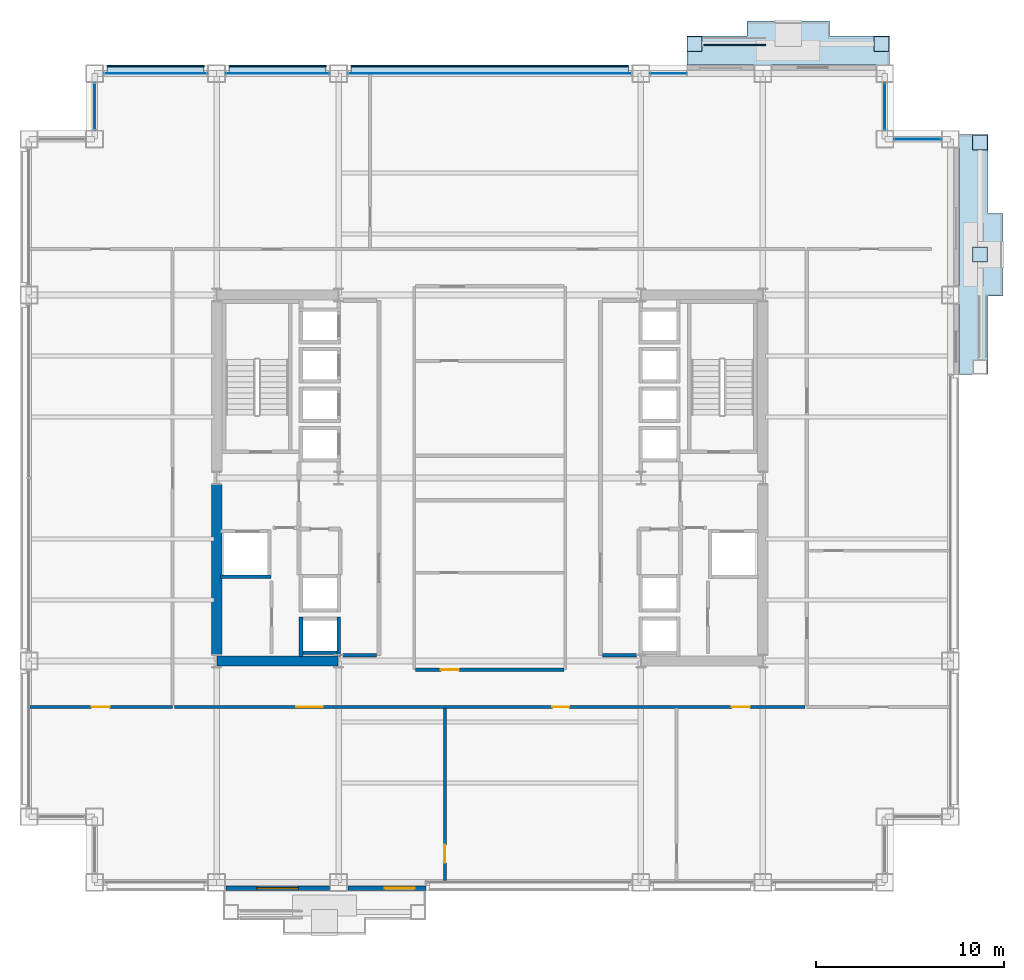
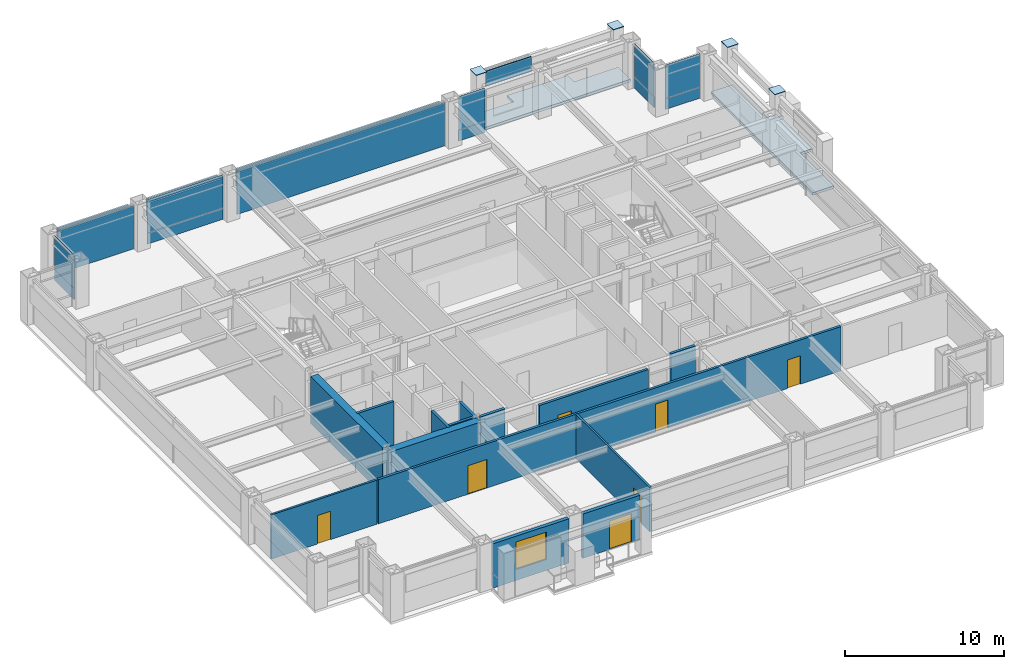
# One storey, part 25 of 31: 23 plates, 14 walls, 7 doors, 2 slabs, 1 window, 8 openings, 7 elements without a shape of their own.
"""IFC4 building model written with IfcOpenShell, lengths in metres."""

from ifc_helpers import new_model, si_unit, direction, frame, frame_2d, origin, origin_2d, place, context, subcontext, project, spatial, polyline, rectangle, outline, extrude, material, layer, layer_set, type_object, element, fill, aggregate, save


model = new_model("IFC4")

# Units and contexts
model_context = context("Model", 3, precision=1e-05, world=origin(), true_north=direction((0.0, 1.0)))
body_context = subcontext(model_context, "Body", "Model", "MODEL_VIEW")
ifc_project = project(units=[si_unit("LENGTHUNIT", "METRE"), si_unit("AREAUNIT", "SQUARE_METRE"), si_unit("VOLUMEUNIT", "CUBIC_METRE"), si_unit("PLANEANGLEUNIT", "RADIAN"), si_unit("MASSUNIT", "GRAM", prefix="KILO")], contexts=[model_context])

# Site, building, storey
site_placement = place(None, origin())
site = spatial("IfcSite", under=ifc_project, at=site_placement, CompositionType="ELEMENT")
building_placement = place(site_placement, origin())
building = spatial("IfcBuilding", under=site, at=building_placement, Name="Brelmoor Portico Tower", CompositionType="ELEMENT")
storey_placement = place(building_placement, frame((0.0, 0.0, 27.60009765625)))
storey = spatial("IfcBuildingStorey", under=building, at=storey_placement, Name="L06", CompositionType="ELEMENT", Elevation=27.60009765625)

# Plates
ifc_material_1 = material(Name="Steel Q355B", Category="steel")
ifc_layer_1 = layer(ifc_material_1, 0.044921875)
ifc_layer_set_1 = layer_set([ifc_layer_1], Name="Steel Q355B")
plate_type_1 = type_object("IfcPlateType", Name="PT-CAP-650", PredefinedType="SHEET", material=ifc_layer_set_1)
for number, where, z_axis, x_axis, name in (
    (1, (10.919921875, 23.1298828125, 3.599853515625), (0.0, 0.0, 1.0), (1.0, 0.0, 0.0), "L06 Proud Picture-Frame Pier PFJ-N1 Welded Head Cap Plate"),
    (2, (20.8798828125, 23.1298828125, 3.599853515625), (0.0, 0.0, 1.0), (1.0, 0.0, 0.0), "L06 Proud Picture-Frame Pier PFJ-N2 Welded Head Cap Plate"),
    (3, (26.1298828125, 17.8798828125, 3.599853515625), (0.0, 0.0, 1.0), (0.0, 1.0, 0.0), "L06 Proud Picture-Frame Pier PFJ-E2 Welded Head Cap Plate"),
    (4, (26.1298828125, 11.89990234375, 3.599853515625), (0.0, 0.0, 1.0), (0.0, 1.0, 0.0), "L06 Proud Picture-Frame Pier PFJ-E3 Welded Head Cap Plate"),
):
    element("IfcPlate", number, at=place(storey_placement, frame(where, z_axis=z_axis, x_axis=x_axis)), inside=storey, type_object=plate_type_1, Name=name, PredefinedType="SHEET", context=body_context, shape_type="SweptSolid", body=[
        extrude(rectangle(XDim=0.7900390625, YDim=0.7900390625, at=origin_2d()), origin(), (0.0, 0.0, 1.0), 0.0400390625),
    ])

# Curtain wall, plate
ifc_material_2 = material(Name="Anodised Aluminium Alloy 6063-T6", Category="aluminium")
ifc_layer_2 = layer(ifc_material_2, 0.179931640625)
ifc_layer_set_2 = layer_set([ifc_layer_2], Name="Anodised Aluminium Alloy 6063-T6")
curtain_wall_type_1 = type_object("IfcCurtainWallType", Name="CW-TOWER-Z1", PredefinedType="NOTDEFINED", material=ifc_layer_set_2)
curtain_wall_1_placement = place(storey_placement, origin())
curtain_wall_1 = element("IfcCurtainWall", 5, at=curtain_wall_1_placement, inside=storey, type_object=curtain_wall_type_1, Name="L06 Curtain Wall CW-L06-2L-2", PredefinedType="NOTDEFINED")
ifc_material_3 = material(Name="Double-Silver Low-E Insulated Glazing", Category="glass")
ifc_layer_3 = layer(ifc_material_3, 0.035888671875)
ifc_layer_set_3 = layer_set([ifc_layer_3], Name="Double-Silver Low-E Insulated Glazing")
plate_type_2 = type_object("IfcPlateType", Name="PT-CW-GLASS", PredefinedType="CURTAIN_PANEL", material=ifc_layer_set_3)
plate_1_placement = place(storey_placement, frame((-11.300048828125, 21.550048828125, 0.85009765625), z_axis=(0.0, 0.0, 1.0), x_axis=(1.0, 0.0, 0.0)))
plate_1 = element("IfcPlate", 6, at=plate_1_placement, type_object=plate_type_2, Name="CW-L06-2L-2 Vision Glass Panel 00", PredefinedType="CURTAIN_PANEL", context=body_context, shape_type="SweptSolid", body=[
    extrude(rectangle(XDim=5.5, YDim=0.035888671875, at=origin_2d()), origin(), (0.0, 0.0, 1.0), 2.550048828125),
])

curtain_wall_2_placement = place(storey_placement, origin())
curtain_wall_2 = element("IfcCurtainWall", 7, at=curtain_wall_2_placement, inside=storey, type_object=curtain_wall_type_1, Name="L06 Curtain Wall CW-L06-2L-4", PredefinedType="NOTDEFINED")
plate_2_placement = place(storey_placement, frame((9.517578125, 21.550048828125, 0.85009765625), z_axis=(0.0, 0.0, 1.0), x_axis=(1.0, 0.0, 0.0)))
plate_2 = element("IfcPlate", 8, at=plate_2_placement, type_object=plate_type_2, Name="CW-L06-2L-4 Vision Glass Panel 00", PredefinedType="CURTAIN_PANEL", context=body_context, shape_type="SweptSolid", body=[
    extrude(rectangle(XDim=1.93505859375, YDim=0.035888671875, at=origin_2d()), origin(), (0.0, 0.0, 1.0), 2.550048828125),
])

ifc_layer_4 = layer(ifc_material_2, 0.179931640625)
ifc_layer_set_4 = layer_set([ifc_layer_4], Name="Anodised Aluminium Alloy 6063-T6")
curtain_wall_type_2 = type_object("IfcCurtainWallType", Name="CW-NOTCH-CHAMFER", PredefinedType="NOTDEFINED", material=ifc_layer_set_4)
curtain_wall_3_placement = place(storey_placement, origin())
curtain_wall_3 = element("IfcCurtainWall", 9, at=curtain_wall_3_placement, inside=storey, type_object=curtain_wall_type_2, Name="L06 Curtain Wall CWN-L06-NWV", PredefinedType="NOTDEFINED")
plate_3_placement = place(storey_placement, frame((-21.050048828125, 19.800048828125, 0.85009765625), z_axis=(0.0, 0.0, 1.0), x_axis=(0.0, 1.0, 0.0)))
plate_3 = element("IfcPlate", 10, at=plate_3_placement, type_object=plate_type_2, Name="CWN-L06-NWV Vision Glass Panel 00", PredefinedType="CURTAIN_PANEL", context=body_context, shape_type="SweptSolid", body=[
    extrude(rectangle(XDim=2.5, YDim=0.035888671875, at=origin_2d()), origin(), (0.0, 0.0, 1.0), 2.550048828125),
])

curtain_wall_4_placement = place(storey_placement, origin())
curtain_wall_4 = element("IfcCurtainWall", 11, at=curtain_wall_4_placement, inside=storey, type_object=curtain_wall_type_2, Name="L06 Curtain Wall CWN-L06-NEH", PredefinedType="NOTDEFINED")
plate_4_placement = place(storey_placement, frame((22.800048828125, 18.050048828125, 0.85009765625), z_axis=(0.0, 0.0, 1.0), x_axis=(1.0, 0.0, 0.0)))
plate_4 = element("IfcPlate", 12, at=plate_4_placement, type_object=plate_type_2, Name="CWN-L06-NEH Vision Glass Panel 00", PredefinedType="CURTAIN_PANEL", context=body_context, shape_type="SweptSolid", body=[
    extrude(rectangle(XDim=2.5, YDim=0.035888671875, at=origin_2d()), origin(), (0.0, 0.0, 1.0), 2.550048828125),
])

curtain_wall_5_placement = place(storey_placement, origin())
curtain_wall_5 = element("IfcCurtainWall", 13, at=curtain_wall_5_placement, inside=storey, type_object=curtain_wall_type_2, Name="L06 Curtain Wall CWN-L06-NEV", PredefinedType="NOTDEFINED")
plate_5_placement = place(storey_placement, frame((21.050048828125, 19.800048828125, 0.85009765625), z_axis=(0.0, 0.0, 1.0), x_axis=(0.0, 1.0, 0.0)))
plate_5 = element("IfcPlate", 14, at=plate_5_placement, type_object=plate_type_2, Name="CWN-L06-NEV Vision Glass Panel 00", PredefinedType="CURTAIN_PANEL", context=body_context, shape_type="SweptSolid", body=[
    extrude(rectangle(XDim=2.5, YDim=0.035888671875, at=origin_2d()), origin(), (0.0, 0.0, 1.0), 2.550048828125),
])

ifc_layer_5 = layer(ifc_material_2, 0.179931640625)
ifc_layer_set_5 = layer_set([ifc_layer_5], Name="Anodised Aluminium Alloy 6063-T6")
curtain_wall_type_3 = type_object("IfcCurtainWallType", Name="CW-TOWER-Z1-XB", PredefinedType="NOTDEFINED", material=ifc_layer_set_5)
curtain_wall_6_placement = place(storey_placement, origin())
curtain_wall_6 = element("IfcCurtainWall", 15, at=curtain_wall_6_placement, inside=storey, type_object=curtain_wall_type_3, Name="L06 Curtain Wall CW-L06-2L-1", PredefinedType="NOTDEFINED")
ifc_material_4 = material(Name="Pale Champagne Anodised Aluminium Panel", Category="aluminium")
ifc_layer_6 = layer(ifc_material_4, 0.050048828125)
ifc_layer_set_6 = layer_set([ifc_layer_6], Name="Pale Champagne Anodised Aluminium Panel")
plate_type_3 = type_object("IfcPlateType", Name="PT-CW-SPANDREL", PredefinedType="SHEET", material=ifc_layer_set_6)
plate_6_placement = place(storey_placement, frame((-17.800048828125, 21.550048828125, -0.000244140625), z_axis=(0.0, 0.0, 1.0), x_axis=(1.0, 0.0, 0.0)))
plate_6 = element("IfcPlate", 16, at=plate_6_placement, type_object=plate_type_3, Name="CW-L06-2L-1 Spandrel Panel 00", PredefinedType="SHEET", context=body_context, shape_type="SweptSolid", body=[
    extrude(rectangle(XDim=5.5, YDim=0.050048828125, at=origin_2d()), origin(), (0.0, 0.0, 1.0), 3.330078125),
])
aggregate(curtain_wall_6, [plate_6])

# Plate
plate_7_placement = place(storey_placement, frame((-11.300048828125, 21.550048828125, -0.000244140625), z_axis=(0.0, 0.0, 1.0), x_axis=(1.0, 0.0, 0.0)))
plate_7 = element("IfcPlate", 17, at=plate_7_placement, type_object=plate_type_3, Name="CW-L06-2L-2 Spandrel Panel 00", PredefinedType="SHEET", context=body_context, shape_type="SweptSolid", body=[
    extrude(rectangle(XDim=5.5, YDim=0.050048828125, at=origin_2d()), origin(), (0.0, 0.0, 1.0), 0.85009765625),
])

aggregate(curtain_wall_1, [plate_7, plate_1])

# Curtain wall, plate
curtain_wall_7_placement = place(storey_placement, origin())
curtain_wall_7 = element("IfcCurtainWall", 18, at=curtain_wall_7_placement, inside=storey, type_object=curtain_wall_type_3, Name="L06 Curtain Wall CW-L06-2L-3", PredefinedType="NOTDEFINED")
plate_8_placement = place(storey_placement, frame((0.0, 21.550048828125, -0.000244140625), z_axis=(0.0, 0.0, 1.0), x_axis=(1.0, 0.0, 0.0)))
plate_8 = element("IfcPlate", 19, at=plate_8_placement, type_object=plate_type_3, Name="CW-L06-2L-3 Spandrel Panel 00", PredefinedType="SHEET", context=body_context, shape_type="SweptSolid", body=[
    extrude(rectangle(XDim=15.10009765625, YDim=0.050048828125, at=origin_2d()), origin(), (0.0, 0.0, 1.0), 3.330078125),
])
aggregate(curtain_wall_7, [plate_8])

# Plate
plate_9_placement = place(storey_placement, frame((9.517578125, 21.550048828125, -0.000244140625), z_axis=(0.0, 0.0, 1.0), x_axis=(1.0, 0.0, 0.0)))
plate_9 = element("IfcPlate", 20, at=plate_9_placement, type_object=plate_type_3, Name="CW-L06-2L-4 Spandrel Panel 00", PredefinedType="SHEET", context=body_context, shape_type="SweptSolid", body=[
    extrude(rectangle(XDim=1.93505859375, YDim=0.050048828125, at=origin_2d()), origin(), (0.0, 0.0, 1.0), 0.85009765625),
])

aggregate(curtain_wall_2, [plate_9, plate_2])

plate_10_placement = place(storey_placement, frame((-21.050048828125, 19.800048828125, -0.000244140625), z_axis=(0.0, 0.0, 1.0), x_axis=(0.0, 1.0, 0.0)))
plate_10 = element("IfcPlate", 21, at=plate_10_placement, type_object=plate_type_3, Name="CWN-L06-NWV Spandrel Panel 00", PredefinedType="SHEET", context=body_context, shape_type="SweptSolid", body=[
    extrude(rectangle(XDim=2.5, YDim=0.050048828125, at=origin_2d()), origin(), (0.0, 0.0, 1.0), 0.85009765625),
])

aggregate(curtain_wall_3, [plate_10, plate_3])

plate_11_placement = place(storey_placement, frame((22.800048828125, 18.050048828125, -0.000244140625), z_axis=(0.0, 0.0, 1.0), x_axis=(1.0, 0.0, 0.0)))
plate_11 = element("IfcPlate", 22, at=plate_11_placement, type_object=plate_type_3, Name="CWN-L06-NEH Spandrel Panel 00", PredefinedType="SHEET", context=body_context, shape_type="SweptSolid", body=[
    extrude(rectangle(XDim=2.5, YDim=0.050048828125, at=origin_2d()), origin(), (0.0, 0.0, 1.0), 0.85009765625),
])

aggregate(curtain_wall_4, [plate_11, plate_4])

plate_12_placement = place(storey_placement, frame((21.050048828125, 19.800048828125, -0.000244140625), z_axis=(0.0, 0.0, 1.0), x_axis=(0.0, 1.0, 0.0)))
plate_12 = element("IfcPlate", 23, at=plate_12_placement, type_object=plate_type_3, Name="CWN-L06-NEV Spandrel Panel 00", PredefinedType="SHEET", context=body_context, shape_type="SweptSolid", body=[
    extrude(rectangle(XDim=2.5, YDim=0.050048828125, at=origin_2d()), origin(), (0.0, 0.0, 1.0), 0.85009765625),
])

aggregate(curtain_wall_5, [plate_12, plate_5])

# Plates
ifc_material_5 = material(Name="Powder-Coated Aluminium Shuttered Jalousie Louvre", Category="aluminium")
ifc_layer_7 = layer(ifc_material_5, 0.06005859375)
ifc_layer_set_7 = layer_set([ifc_layer_7], Name="Powder-Coated Aluminium Shuttered Jalousie Louvre")
plate_type_4 = type_object("IfcPlateType", Name="PT-JALOUSIE-SHUTTER", PredefinedType="SHEET", material=ifc_layer_set_7)
for number, where, z_axis, x_axis, name in (
    (24, (-17.800048828125, 21.929931640625, 1.8740234375), (0.0, 0.0, 1.0), (1.0, 0.0, 0.0), "CW-L06-2L-1 Perforated Jalousie Solar Screen"),
    (25, (-11.300048828125, 21.929931640625, 1.8740234375), (0.0, 0.0, 1.0), (1.0, 0.0, 0.0), "CW-L06-2L-2 Perforated Jalousie Solar Screen"),
):
    element("IfcPlate", number, at=place(storey_placement, frame(where, z_axis=z_axis, x_axis=x_axis)), inside=storey, type_object=plate_type_4, Name=name, PredefinedType="SHEET", context=body_context, shape_type="SweptSolid", body=[
        extrude(rectangle(XDim=5.169921875, YDim=0.06494140625, at=origin_2d()), origin(), (0.0, 0.0, 1.0), 1.325927734375),
    ])
plate_13_placement = place(storey_placement, frame((0.0, 21.929931640625, 1.8740234375), z_axis=(0.0, 0.0, 1.0), x_axis=(1.0, 0.0, 0.0)))
element("IfcPlate", 26, at=plate_13_placement, inside=storey, type_object=plate_type_4, Name="CW-L06-2L-3 Perforated Jalousie Solar Screen", PredefinedType="SHEET", context=body_context, shape_type="SweptSolid", body=[
    extrude(rectangle(XDim=14.77001953125, YDim=0.06494140625, at=origin_2d()), origin(), (0.0, 0.0, 1.0), 1.325927734375),
])
plate_14_placement = place(storey_placement, frame((13.050048828125, 23.080078125, 2.27490234375), z_axis=(0.0, 0.0, 1.0), x_axis=(1.0, 0.0, 0.0)))
element("IfcPlate", 27, at=plate_14_placement, inside=storey, type_object=plate_type_4, Name="L06 Shuttered Veranda Screen N", PredefinedType="SHEET", context=body_context, shape_type="SweptSolid", body=[
    extrude(rectangle(XDim=3.300048828125, YDim=0.080078125, at=origin_2d()), origin(), (0.0, 0.0, 1.0), 1.14990234375),
])
ifc_material_6 = material(Name="Pale Champagne Perforated Aluminium Solar Screen", Category="aluminium")
ifc_layer_8 = layer(ifc_material_6, 0.054931640625)
ifc_layer_set_8 = layer_set([ifc_layer_8], Name="Pale Champagne Perforated Aluminium Solar Screen")
plate_type_5 = type_object("IfcPlateType", Name="PT-SOLAR-LOUVRE", PredefinedType="SHEET", material=ifc_layer_set_8)
for number, where, z_axis, x_axis, name in (
    (28, (-17.800048828125, 21.760009765625, 3.08984375), (0.0, 0.0, 1.0), (1.0, 0.0, 0.0), "CW-L06-2L-1 Caribbean Brise-Soleil Solar Screen"),
    (29, (-11.300048828125, 21.760009765625, 3.08984375), (0.0, 0.0, 1.0), (1.0, 0.0, 0.0), "CW-L06-2L-2 Caribbean Brise-Soleil Solar Screen"),
):
    element("IfcPlate", number, at=place(storey_placement, frame(where, z_axis=z_axis, x_axis=x_axis)), inside=storey, type_object=plate_type_5, Name=name, PredefinedType="SHEET", context=body_context, shape_type="SweptSolid", body=[
        extrude(rectangle(XDim=5.169921875, YDim=0.4599609375, at=origin_2d()), origin(), (0.0, 0.0, 1.0), 0.139892578125),
    ])
plate_15_placement = place(storey_placement, frame((0.0, 21.760009765625, 3.08984375), z_axis=(0.0, 0.0, 1.0), x_axis=(1.0, 0.0, 0.0)))
element("IfcPlate", 30, at=plate_15_placement, inside=storey, type_object=plate_type_5, Name="CW-L06-2L-3 Caribbean Brise-Soleil Solar Screen", PredefinedType="SHEET", context=body_context, shape_type="SweptSolid", body=[
    extrude(rectangle(XDim=14.77001953125, YDim=0.4599609375, at=origin_2d()), origin(), (0.0, 0.0, 1.0), 0.139892578125),
])

# Slabs
ifc_material_7 = material(Name="Concrete C40", Category="concrete")
ifc_layer_9 = layer(ifc_material_7, 0.199951171875)
ifc_layer_set_9 = layer_set([ifc_layer_9], Name="Concrete C40")
slab_type = type_object("IfcSlabType", Name="SL-BALCONY-200", PredefinedType="FLOOR", material=ifc_layer_set_9)
slab_1_placement = place(storey_placement, frame((0.0, 0.0, -0.2001953125)))
element("IfcSlab", 31, at=slab_1_placement, inside=storey, type_object=slab_type, Name="L06 Loggia Tree Balcony Slab N", PredefinedType="FLOOR", context=body_context, shape_type="SweptSolid", body=[
    extrude(outline(polyline([(10.5, 22.0), (21.300048828125, 22.0), (21.300048828125, 23.550048828125), (18.10009765625, 23.550048828125), (18.10009765625, 24.35009765625), (13.699951171875, 24.35009765625), (13.699951171875, 23.550048828125), (10.5, 23.550048828125), (10.5, 22.0)])), origin(), (0.0, 0.0, 1.0), 0.2001953125),
])
slab_2_placement = place(storey_placement, frame((0.0, 0.0, -0.2001953125)))
element("IfcSlab", 32, at=slab_2_placement, inside=storey, type_object=slab_type, Name="L06 Loggia Tree Balcony Slab E", PredefinedType="FLOOR", context=body_context, shape_type="SweptSolid", body=[
    extrude(outline(polyline([(25.0, 5.5), (26.550048828125, 5.5), (26.550048828125, 9.699951171875), (27.35009765625, 9.699951171875), (27.35009765625, 14.10009765625), (26.550048828125, 14.10009765625), (26.550048828125, 18.300048828125), (25.0, 18.300048828125), (25.0, 5.5)])), origin(), (0.0, 0.0, 1.0), 0.2001953125),
])

# Walls
ifc_material_8 = material(Name="Concrete C60", Category="concrete")
ifc_layer_10 = layer(ifc_material_8, 0.550048828125)
ifc_layer_set_10 = layer_set([ifc_layer_10], Name="Concrete C60")
wall_type_1 = type_object("IfcWallType", Name="WL-CORE-550", PredefinedType="SHEAR", material=ifc_layer_set_10)
wall_1_placement = place(storey_placement, frame((-14.530029296875, -9.75, -0.2001953125), z_axis=(0.0, 0.0, 1.0), x_axis=(1.0, 0.0, 0.0)))
element("IfcWall", 33, at=wall_1_placement, inside=storey, type_object=wall_type_1, Name="L06 WC South Shear Wall", PredefinedType="SHEAR", context=body_context, shape_type="SweptSolid", body=[
    extrude(rectangle(XDim=6.4599609375, YDim=0.550048828125, at=frame_2d((3.22998046875, 0.0))), origin(), (0.0, 0.0, 1.0), 3.60009765625),
])
wall_2_placement = place(storey_placement, frame((-14.550048828125, -9.39990234375, -0.2001953125), z_axis=(0.0, 0.0, 1.0), x_axis=(0.0, 1.0, 0.0)))
element("IfcWall", 34, at=wall_2_placement, inside=storey, type_object=wall_type_1, Name="L06 WC Outer South Shear Wall", PredefinedType="SHEAR", context=body_context, shape_type="SweptSolid", body=[
    extrude(rectangle(XDim=9.0498046875, YDim=0.550048828125, at=frame_2d((4.52490234375, 0.0))), origin(), (0.0, 0.0, 1.0), 3.60009765625),
])

# Wall, opening, window
ifc_material_9 = material(Name="Precast Concrete C40 Insulated Facade Wall", Category="concrete")
ifc_layer_11 = layer(ifc_material_9, 0.25)
ifc_layer_set_11 = layer_set([ifc_layer_11], Name="Precast Concrete C40 Insulated Facade Wall")
wall_type_2 = type_object("IfcWallType", Name="WL-EXT-250", PredefinedType="STANDARD", material=ifc_layer_set_11)
wall_3_placement = place(storey_placement, frame((-14.054931640625, -21.860107421875, 0.0), z_axis=(0.0, 0.0, 1.0), x_axis=(1.0, 0.0, 0.0)))
wall_3 = element("IfcWall", 35, at=wall_3_placement, inside=storey, type_object=wall_type_2, Name="L06 Loggia Threshold Wall S-1", PredefinedType="STANDARD", context=body_context, shape_type="SweptSolid", body=[
    extrude(rectangle(XDim=5.510009765625, YDim=0.25, at=frame_2d((2.7548828125, 0.0))), origin(), (0.0, 0.0, 1.0), 3.39990234375),
])
opening_1_placement = place(wall_3_placement, frame((1.655029296875, 0.0, 0.85009765625)))
opening_1 = element("IfcOpeningElement", 36, at=opening_1_placement, cuts=wall_3, Name="Opening W-03B", PredefinedType="OPENING", context=body_context, shape_type="SweptSolid", body=[
    extrude(rectangle(XDim=2.199951171875, YDim=2.10009765625, at=frame_2d((1.10009765625, 1.050048828125))), frame((0.0, 0.135009765625, 0.0), z_axis=(0.0, -1.0, 0.0), x_axis=(1.0, 0.0, 0.0)), (0.0, 0.0, 1.0), 0.27001953125),
])
ifc_material_10 = material(Name="Thermally Broken Aluminium Low-E Window", Category="aluminium")
window_type = type_object("IfcWindowType", Name="WN-LOGGIA-2200x2100", PartitioningType="SINGLE_PANEL", PredefinedType="WINDOW", material=ifc_material_10)
window_placement = place(opening_1_placement, origin())
window = element("IfcWindow", 37, at=window_placement, inside=storey, type_object=window_type, Name="L06 Loggia Window S", OverallHeight=2.10009765625, OverallWidth=2.199951171875, PartitioningType="SINGLE_PANEL", PredefinedType="WINDOW", context=body_context, shape_type="SweptSolid", body=[
    extrude(rectangle(XDim=2.199951171875, YDim=2.10009765625, at=frame_2d((1.10009765625, 1.050048828125))), frame((0.0, 0.030029296875, 0.0), z_axis=(0.0, -1.0, 0.0), x_axis=(1.0, 0.0, 0.0)), (0.0, 0.0, 1.0), 0.06005859375),
])
fill(opening_1, window)

# Wall, opening, door
wall_4_placement = place(storey_placement, frame((-7.554931640625, -21.860107421875, 0.0), z_axis=(0.0, 0.0, 1.0), x_axis=(1.0, 0.0, 0.0)))
wall_4 = element("IfcWall", 38, at=wall_4_placement, inside=storey, type_object=wall_type_2, Name="L06 Loggia Threshold Wall S-2", PredefinedType="STANDARD", context=body_context, shape_type="SweptSolid", body=[
    extrude(rectangle(XDim=4.155029296875, YDim=0.25, at=frame_2d((2.07763671875, 0.0))), origin(), (0.0, 0.0, 1.0), 3.39990234375),
])
opening_2_placement = place(wall_4_placement, frame((1.955078125, 0.0, 0.0)))
opening_2 = element("IfcOpeningElement", 39, at=opening_2_placement, cuts=wall_4, Name="Opening D-TB1", PredefinedType="OPENING", context=body_context, shape_type="SweptSolid", body=[
    extrude(rectangle(XDim=1.60009765625, YDim=2.199951171875, at=frame_2d((0.800048828125, 1.10009765625))), frame((0.0, 0.135009765625, 0.0), z_axis=(0.0, -1.0, 0.0), x_axis=(1.0, 0.0, 0.0)), (0.0, 0.0, 1.0), 0.27001953125),
])
ifc_material_11 = material(Name="Double-Leaf Thermally Broken Terrace Door", Category="aluminium")
door_type_1 = type_object("IfcDoorType", Name="DR-BALCONY-1600", OperationType="NOTDEFINED", PredefinedType="DOOR", material=ifc_material_11)
door_1_placement = place(opening_2_placement, origin())
door_1 = element("IfcDoor", 40, at=door_1_placement, inside=storey, type_object=door_type_1, Name="D-0296 L06 Tree Balcony Double Door S", OperationType="DOUBLE_DOOR_SINGLE_SWING", OverallHeight=2.199951171875, OverallWidth=1.60009765625, PredefinedType="DOOR", context=body_context, shape_type="SweptSolid", body=[
    extrude(rectangle(XDim=1.60009765625, YDim=2.199951171875, at=frame_2d((0.800048828125, 1.10009765625))), frame((0.0, 0.02490234375, 0.0), z_axis=(0.0, -1.0, 0.0), x_axis=(1.0, 0.0, 0.0)), (0.0, 0.0, 1.0), 0.050048828125),
])
fill(opening_2, door_1)

ifc_material_12 = material(Name="Wet-Area Moisture-Resistant Partition", Category="gypsum")
ifc_layer_12 = layer(ifc_material_12, 0.14990234375)
ifc_layer_set_12 = layer_set([ifc_layer_12], Name="Wet-Area Moisture-Resistant Partition")
wall_type_3 = type_object("IfcWallType", Name="WL-PART-150", PredefinedType="PARTITIONING", material=ifc_layer_set_12)
wall_5_placement = place(storey_placement, frame((-2.38916015625, -21.56005859375, 0.0), z_axis=(0.0, 0.0, 1.0), x_axis=(0.0, 1.0, 0.0)))
wall_5 = element("IfcWall", 41, at=wall_5_placement, inside=storey, type_object=wall_type_3, Name="L06 South Suite Partition 1", PredefinedType="PARTITIONING", context=body_context, shape_type="SweptSolid", body=[
    extrude(rectangle(XDim=9.300048828125, YDim=0.14990234375, at=frame_2d((4.64990234375, 0.0))), origin(), (0.0, 0.0, 1.0), 3.39990234375),
])
opening_3_placement = place(wall_5_placement, frame((1.050048828125, 0.0, 0.0)))
opening_3 = element("IfcOpeningElement", 42, at=opening_3_placement, cuts=wall_5, Name="Opening D-IN2", PredefinedType="OPENING", context=body_context, shape_type="SweptSolid", body=[
    extrude(rectangle(XDim=0.9599609375, YDim=2.179931640625, at=frame_2d((0.47998046875, 1.08984375))), frame((0.0, 0.0849609375, 0.0), z_axis=(0.0, -1.0, 0.0), x_axis=(1.0, 0.0, 0.0)), (0.0, 0.0, 1.0), 0.169921875),
])
ifc_material_13 = material(Name="Lacquered Timber Suite Door", Category="wood")
door_type_2 = type_object("IfcDoorType", Name="DR-INT-950", OperationType="NOTDEFINED", PredefinedType="DOOR", material=ifc_material_13)
door_2_placement = place(opening_3_placement, origin())
door_2 = element("IfcDoor", 43, at=door_2_placement, inside=storey, type_object=door_type_2, Name="D-0288 L06 South Suite Connecting Door 1", OperationType="SINGLE_SWING_RIGHT", OverallHeight=2.179931640625, OverallWidth=0.9599609375, PredefinedType="DOOR", context=body_context, shape_type="SweptSolid", body=[
    extrude(rectangle(XDim=0.9599609375, YDim=2.179931640625, at=frame_2d((0.47998046875, 1.08984375))), frame((0.0, 0.02490234375, 0.0), z_axis=(0.0, -1.0, 0.0), x_axis=(1.0, 0.0, 0.0)), (0.0, 0.0, 1.0), 0.050048828125),
])
fill(opening_3, door_2)

wall_6_placement = place(storey_placement, frame((-24.56005859375, -12.199951171875, 0.0), z_axis=(0.0, 0.0, 1.0), x_axis=(1.0, 0.0, 0.0)))
wall_6 = element("IfcWall", 44, at=wall_6_placement, inside=storey, type_object=wall_type_3, Name="L06 South Outer Closure WL", PredefinedType="PARTITIONING", context=body_context, shape_type="SweptSolid", body=[
    extrude(rectangle(XDim=7.66015625, YDim=0.14990234375, at=frame_2d((3.830078125, 0.0))), origin(), (0.0, 0.0, 1.0), 3.39990234375),
])
opening_4_placement = place(wall_6_placement, frame((3.35009765625, 0.0, 0.0)))
opening_4 = element("IfcOpeningElement", 45, at=opening_4_placement, cuts=wall_6, Name="Opening D-IN2", PredefinedType="OPENING", context=body_context, shape_type="SweptSolid", body=[
    extrude(rectangle(XDim=0.9599609375, YDim=2.179931640625, at=frame_2d((0.47998046875, 1.08984375))), frame((0.0, 0.0849609375, 0.0), z_axis=(0.0, -1.0, 0.0), x_axis=(1.0, 0.0, 0.0)), (0.0, 0.0, 1.0), 0.169921875),
])
door_3_placement = place(opening_4_placement, origin())
door_3 = element("IfcDoor", 46, at=door_3_placement, inside=storey, type_object=door_type_2, Name="D-0293 L06 WL South Corner Suite Door", OperationType="SINGLE_SWING_RIGHT", OverallHeight=2.179931640625, OverallWidth=0.9599609375, PredefinedType="DOOR", context=body_context, shape_type="SweptSolid", body=[
    extrude(rectangle(XDim=0.9599609375, YDim=2.179931640625, at=frame_2d((0.47998046875, 1.08984375))), frame((0.0, 0.02490234375, 0.0), z_axis=(0.0, -1.0, 0.0), x_axis=(1.0, 0.0, 0.0)), (0.0, 0.0, 1.0), 0.050048828125),
])
fill(opening_4, door_3)

ifc_material_14 = material(Name="Acoustic Corridor Fire Partition", Category="gypsum")
ifc_layer_13 = layer(ifc_material_14, 0.179931640625)
ifc_layer_set_13 = layer_set([ifc_layer_13], Name="Acoustic Corridor Fire Partition")
wall_type_4 = type_object("IfcWallType", Name="WL-PART-180", PredefinedType="PARTITIONING", material=ifc_layer_set_13)
wall_7_placement = place(storey_placement, frame((-3.949951171875, -10.219970703125, 0.0), z_axis=(0.0, 0.0, 1.0), x_axis=(1.0, 0.0, 0.0)))
wall_7 = element("IfcWall", 47, at=wall_7_placement, inside=storey, type_object=wall_type_4, Name="L06 Central Pantry Corridor Wall", PredefinedType="PARTITIONING", context=body_context, shape_type="SweptSolid", body=[
    extrude(rectangle(XDim=7.89990234375, YDim=0.179931640625, at=frame_2d((3.949951171875, 0.0))), origin(), (0.0, 0.0, 1.0), 3.39990234375),
])
opening_5_placement = place(wall_7_placement, frame((1.35009765625, 0.0, 0.0)))
opening_5 = element("IfcOpeningElement", 48, at=opening_5_placement, cuts=wall_7, Name="Opening D-IN2", PredefinedType="OPENING", context=body_context, shape_type="SweptSolid", body=[
    extrude(rectangle(XDim=0.9599609375, YDim=2.179931640625, at=frame_2d((0.47998046875, 1.08984375))), frame((0.0, 0.099853515625, 0.0), z_axis=(0.0, -1.0, 0.0), x_axis=(1.0, 0.0, 0.0)), (0.0, 0.0, 1.0), 0.199951171875),
])
door_4_placement = place(opening_5_placement, origin())
door_4 = element("IfcDoor", 49, at=door_4_placement, inside=storey, type_object=door_type_2, Name="D-0268 L06 Staff Pantry Door", OperationType="SINGLE_SWING_RIGHT", OverallHeight=2.179931640625, OverallWidth=0.9599609375, PredefinedType="DOOR", context=body_context, shape_type="SweptSolid", body=[
    extrude(rectangle(XDim=0.9599609375, YDim=2.179931640625, at=frame_2d((0.47998046875, 1.08984375))), frame((0.0, 0.02490234375, 0.0), z_axis=(0.0, -1.0, 0.0), x_axis=(1.0, 0.0, 0.0)), (0.0, 0.0, 1.0), 0.050048828125),
])
fill(opening_5, door_4)

# Wall, openings, doors
wall_8_placement = place(storey_placement, frame((-16.800048828125, -12.199951171875, 0.0), z_axis=(0.0, 0.0, 1.0), x_axis=(1.0, 0.0, 0.0)))
wall_8 = element("IfcWall", 50, at=wall_8_placement, inside=storey, type_object=wall_type_4, Name="L06 South Corridor Partition", PredefinedType="PARTITIONING", context=body_context, shape_type="SweptSolid", body=[
    extrude(rectangle(XDim=33.60009765625, YDim=0.179931640625, at=frame_2d((16.800048828125, 0.0))), origin(), (0.0, 0.0, 1.0), 3.39990234375),
])
opening_6_placement = place(wall_8_placement, frame((6.50537109375, 0.0, 0.0)))
opening_6 = element("IfcOpeningElement", 51, at=opening_6_placement, cuts=wall_8, Name="Opening D-SU2", PredefinedType="OPENING", context=body_context, shape_type="SweptSolid", body=[
    extrude(rectangle(XDim=1.39990234375, YDim=2.199951171875, at=frame_2d((0.699951171875, 1.10009765625))), frame((0.0, 0.099853515625, 0.0), z_axis=(0.0, -1.0, 0.0), x_axis=(1.0, 0.0, 0.0)), (0.0, 0.0, 1.0), 0.199951171875),
])
opening_7_placement = place(wall_8_placement, frame((20.1328125, 0.0, 0.0)))
opening_7 = element("IfcOpeningElement", 52, at=opening_7_placement, cuts=wall_8, Name="Opening D-IN1", PredefinedType="OPENING", context=body_context, shape_type="SweptSolid", body=[
    extrude(rectangle(XDim=0.89990234375, YDim=2.14990234375, at=frame_2d((0.449951171875, 1.074951171875))), frame((0.0, 0.099853515625, 0.0), z_axis=(0.0, -1.0, 0.0), x_axis=(1.0, 0.0, 0.0)), (0.0, 0.0, 1.0), 0.199951171875),
])
opening_8_placement = place(wall_8_placement, frame((29.697509765625, 0.0, 0.0)))
opening_8 = element("IfcOpeningElement", 53, at=opening_8_placement, cuts=wall_8, Name="Opening D-IN2", PredefinedType="OPENING", context=body_context, shape_type="SweptSolid", body=[
    extrude(rectangle(XDim=0.9599609375, YDim=2.179931640625, at=frame_2d((0.47998046875, 1.08984375))), frame((0.0, 0.099853515625, 0.0), z_axis=(0.0, -1.0, 0.0), x_axis=(1.0, 0.0, 0.0)), (0.0, 0.0, 1.0), 0.199951171875),
])
door_type_3 = type_object("IfcDoorType", Name="DR-INT-900", OperationType="NOTDEFINED", PredefinedType="DOOR", material=ifc_material_13)
door_5_placement = place(opening_7_placement, origin())
door_5 = element("IfcDoor", 54, at=door_5_placement, inside=storey, type_object=door_type_3, Name="D-0286 L06 South Technical Archive Store 2 Door", OperationType="SINGLE_SWING_RIGHT", OverallHeight=2.14990234375, OverallWidth=0.89990234375, PredefinedType="DOOR", context=body_context, shape_type="SweptSolid", body=[
    extrude(rectangle(XDim=0.89990234375, YDim=2.14990234375, at=frame_2d((0.449951171875, 1.074951171875))), frame((0.0, 0.02490234375, 0.0), z_axis=(0.0, -1.0, 0.0), x_axis=(1.0, 0.0, 0.0)), (0.0, 0.0, 1.0), 0.050048828125),
])
fill(opening_7, door_5)
door_6_placement = place(opening_8_placement, origin())
door_6 = element("IfcDoor", 55, at=door_6_placement, inside=storey, type_object=door_type_2, Name="D-0287 L06 South Open-Plan Office Studio 3 Door", OperationType="SINGLE_SWING_LEFT", OverallHeight=2.179931640625, OverallWidth=0.9599609375, PredefinedType="DOOR", context=body_context, shape_type="SweptSolid", body=[
    extrude(rectangle(XDim=0.9599609375, YDim=2.179931640625, at=frame_2d((0.47998046875, 1.08984375))), frame((0.0, 0.02490234375, 0.0), z_axis=(0.0, -1.0, 0.0), x_axis=(1.0, 0.0, 0.0)), (0.0, 0.0, 1.0), 0.050048828125),
])
fill(opening_8, door_6)
ifc_material_15 = material(Name="Double-Leaf Acoustic Suite Door", Category="timber")
door_type_4 = type_object("IfcDoorType", Name="DR-SUITE-1400", OperationType="NOTDEFINED", PredefinedType="DOOR", material=ifc_material_15)
door_7_placement = place(opening_6_placement, origin())
door_7 = element("IfcDoor", 56, at=door_7_placement, inside=storey, type_object=door_type_4, Name="D-0285 L06 South Client Reception Room 1 Door", OperationType="DOUBLE_DOOR_SINGLE_SWING", OverallHeight=2.199951171875, OverallWidth=1.39990234375, PredefinedType="DOOR", context=body_context, shape_type="SweptSolid", body=[
    extrude(rectangle(XDim=1.39990234375, YDim=2.199951171875, at=frame_2d((0.699951171875, 1.10009765625))), frame((0.0, 0.02490234375, 0.0), z_axis=(0.0, -1.0, 0.0), x_axis=(1.0, 0.0, 0.0)), (0.0, 0.0, 1.0), 0.050048828125),
])
fill(opening_6, door_7)

# Walls
ifc_material_16 = material(Name="Double-Stud Gypsum Fire Partition", Category="gypsum")
ifc_layer_14 = layer(ifc_material_16, 0.199951171875)
ifc_layer_set_14 = layer_set([ifc_layer_14], Name="Double-Stud Gypsum Fire Partition")
wall_type_5 = type_object("IfcWallType", Name="WL-PART-200", PredefinedType="PARTITIONING", material=ifc_layer_set_14)
for number, where, z_axis, x_axis, name in (
    (57, (-6.02001953125, -9.449951171875, 0.0), (0.0, 0.0, 1.0), (-1.0, 0.0, 0.0), "L06 W Lift Lobby South End Wall"),
    (58, (6.02001953125, -9.449951171875, 0.0), (0.0, 0.0, 1.0), (1.0, 0.0, 0.0), "L06 E Lift Lobby South End Wall"),
):
    element("IfcWall", number, at=place(storey_placement, frame(where, z_axis=z_axis, x_axis=x_axis)), inside=storey, type_object=wall_type_5, Name=name, PredefinedType="PARTITIONING", context=body_context, shape_type="SweptSolid", body=[
        extrude(rectangle(XDim=1.800048828125, YDim=0.199951171875, at=frame_2d((0.89990234375, 0.0))), origin(), (0.0, 0.0, 1.0), 3.39990234375),
    ])
ifc_material_17 = material(Name="Precast Concrete C40", Category="concrete")
ifc_layer_15 = layer(ifc_material_17, 0.18994140625)
ifc_layer_set_15 = layer_set([ifc_layer_15], Name="Precast Concrete C40")
wall_type_6 = type_object("IfcWallType", Name="WL-SHAFT-180", PredefinedType="SOLIDWALL", material=ifc_layer_set_15)
for number, where, z_axis, x_axis, name in (
    (59, (-8.044921875, -9.52001953125, -0.2001953125), (0.0, 0.0, 1.0), (0.0, 1.0, 0.0), "L06 Lift PH1 Hoistway Front Wall"),
    (60, (-10.054931640625, -9.52001953125, -0.2001953125), (0.0, 0.0, 1.0), (0.0, 1.0, 0.0), "L06 Lift PH1 Hoistway Back Wall"),
):
    element("IfcWall", number, at=place(storey_placement, frame(where, z_axis=z_axis, x_axis=x_axis)), inside=storey, type_object=wall_type_6, Name=name, PredefinedType="SOLIDWALL", context=body_context, shape_type="SweptSolid", body=[
        extrude(rectangle(XDim=2.1201171875, YDim=0.18994140625, at=frame_2d((1.06005859375, 0.0))), origin(), (0.0, 0.0, 1.0), 3.60009765625),
    ])
wall_9_placement = place(storey_placement, frame((-10.14990234375, -9.304931640625, -0.2001953125), z_axis=(0.0, 0.0, 1.0), x_axis=(1.0, 0.0, 0.0)))
element("IfcWall", 61, at=wall_9_placement, inside=storey, type_object=wall_type_6, Name="L06 Lift PH1 Hoistway South Wall", PredefinedType="SOLIDWALL", context=body_context, shape_type="SweptSolid", body=[
    extrude(rectangle(XDim=2.199951171875, YDim=0.18994140625, at=frame_2d((1.10009765625, 0.0))), origin(), (0.0, 0.0, 1.0), 3.60009765625),
])
wall_10_placement = place(storey_placement, frame((-14.330078125, -5.2548828125, -0.2001953125), z_axis=(0.0, 0.0, 1.0), x_axis=(1.0, 0.0, 0.0)))
element("IfcWall", 62, at=wall_10_placement, inside=storey, type_object=wall_type_6, Name="L06 Firefighting Lift FF1 South Wall", PredefinedType="SOLIDWALL", context=body_context, shape_type="SweptSolid", body=[
    extrude(rectangle(XDim=2.68017578125, YDim=0.18994140625, at=frame_2d((1.340087890625, 0.0))), origin(), (0.0, 0.0, 1.0), 3.60009765625),
])

save(model, "model.ifc")
